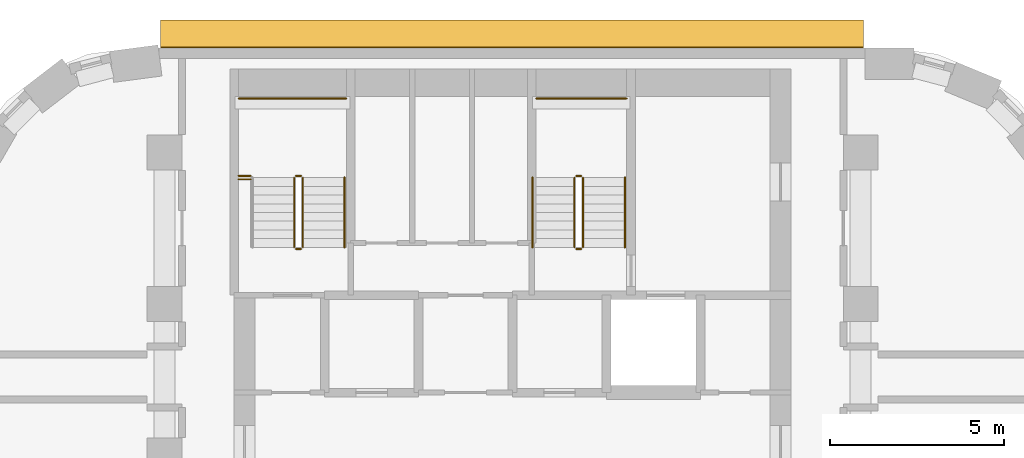
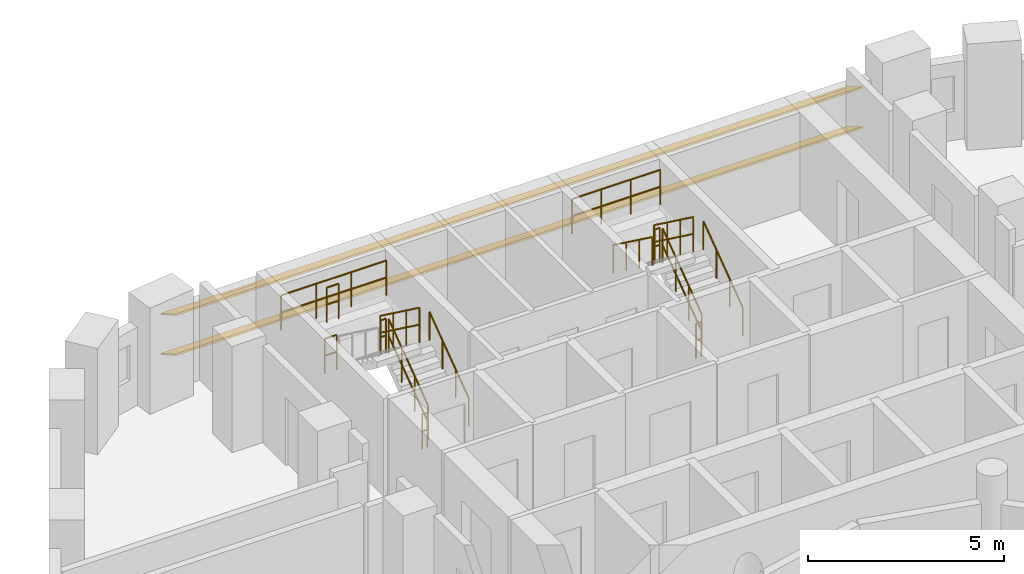
# One storey, part 12 of 12: 15 railings, 2 shading devices.
"""IFC4 building model written with IfcOpenShell, lengths in metres."""

import ifcopenshell
import ifcopenshell.guid

model = None  # the IFC model being written
_history = None  # IfcOwnerHistory: only IFC2X3 demands one
_inside = {}  # id of a spatial element -> (the spatial element, [elements in it])
_under = {}  # id of a project, library or spatial element -> (it, [spatial elements below it])
_declared = {}  # id of a project -> (the project, [libraries it declares])
_typed = {}  # id of a type object -> (the type object, [elements of that type])
_made_of = {}  # id of a material, layer set ... -> (it, [elements and type objects made of it])


def new_model(schema):
    """Start an empty IFC model of exactly this schema.

    Asked for "IFC4X3", IfcOpenShell would pick the latest addendum, in which some entities
    have other attributes; the version numbers below select the first issue.
    IFC2X3 requires an IfcOwnerHistory on every rooted entity: one is made here for all.
    """
    global model, _history
    if schema == "IFC4X3":
        model = ifcopenshell.file(schema_version=(4, 3, 0, 0))
    else:
        model = ifcopenshell.file(schema=schema)
    _inside.clear()
    _under.clear()
    _declared.clear()
    _typed.clear()
    _made_of.clear()
    _history = None
    if model.schema == "IFC2X3":
        org = make("IfcOrganization", Name="unknown")
        user = make(
            "IfcPersonAndOrganization",
            ThePerson=make("IfcPerson", FamilyName="unknown"),
            TheOrganization=org,
        )
        app = make(
            "IfcApplication",
            ApplicationDeveloper=org,
            Version="unknown",
            ApplicationFullName="unknown",
            ApplicationIdentifier="unknown",
        )
        _history = make(
            "IfcOwnerHistory",
            OwningUser=user,
            OwningApplication=app,
            ChangeAction="ADDED",
            CreationDate=0,
        )
    return model


def make(cls, **values):
    """One entity of the class cls with the attributes given. An attribute that is None is left unset."""
    return model.create_entity(
        cls, **{name: value for name, value in values.items() if value is not None}
    )


def rooted(cls, **values):
    """An entity with a GlobalId (a new one), such as an element, a storey or a relation."""
    return make(cls, GlobalId=ifcopenshell.guid.new(), OwnerHistory=_history, **values)


def si_unit(unit_type, name, prefix=None):
    """IfcSIUnit, for example si_unit("LENGTHUNIT", "METRE", prefix="MILLI")."""
    return make("IfcSIUnit", UnitType=unit_type, Prefix=prefix, Name=name)


def assignment(units):
    """IfcUnitAssignment: the units of a project."""
    return None if units is None else make("IfcUnitAssignment", Units=units)


def point(xyz):
    """IfcCartesianPoint."""
    return None if xyz is None else make("IfcCartesianPoint", Coordinates=xyz)


def direction(xyz):
    """IfcDirection."""
    return None if xyz is None else make("IfcDirection", DirectionRatios=xyz)


def frame(location, z_axis=None, x_axis=None):
    """IfcAxis2Placement3D, a coordinate frame: its origin and axes. An axis left out is left unset."""
    return make(
        "IfcAxis2Placement3D",
        Location=point(location),
        Axis=direction(z_axis),
        RefDirection=direction(x_axis),
    )


def frame_2d(location, x_axis=None):
    """IfcAxis2Placement2D, a coordinate frame in the plane: its origin and x axis."""
    return make(
        "IfcAxis2Placement2D", Location=point(location), RefDirection=direction(x_axis)
    )


def origin():
    """The frame at (0, 0, 0) with its axes left unset."""
    return frame((0.0, 0.0, 0.0))


def origin_2d():
    """The frame at (0, 0) in the plane with its x axis left unset."""
    return frame_2d((0.0, 0.0))


def place(relative_to, where):
    """IfcLocalPlacement: puts the frame where relative to a parent placement (None: the world)."""
    return make(
        "IfcLocalPlacement", PlacementRelTo=relative_to, RelativePlacement=where
    )


def context(
    kind, dimensions, precision=None, world=None, true_north=None, identifier=None
):
    """IfcGeometricRepresentationContext, for example the 3D "Model" context."""
    return make(
        "IfcGeometricRepresentationContext",
        ContextIdentifier=identifier,
        ContextType=kind,
        CoordinateSpaceDimension=dimensions,
        Precision=precision,
        WorldCoordinateSystem=world,
        TrueNorth=true_north,
    )


def subcontext(parent, identifier, kind, view, scale=None):
    """IfcGeometricRepresentationSubContext, for example "Body" below "Model"."""
    return make(
        "IfcGeometricRepresentationSubContext",
        ContextIdentifier=identifier,
        ContextType=kind,
        ParentContext=parent,
        TargetScale=scale,
        TargetView=view,
    )


def project(units=None, contexts=None):
    """IfcProject with its units and contexts."""
    return rooted(
        "IfcProject",
        Name="project",
        RepresentationContexts=contexts,
        UnitsInContext=assignment(units),
    )


def spatial(cls, under=None, at=None, **own):
    """A site, building, storey or space (cls), placed at a placement, below another one or the project."""
    s = rooted(cls, ObjectPlacement=at, **own)
    if under is not None:
        _under.setdefault(under.id(), (under, []))[1].append(s)
    return s


def profile(cls, at=None, kind="AREA", **sizes):
    """A parametric profile (cls). Its sizes go by their IFC names, for example OverallWidth=200.0."""
    return make(cls, ProfileType=kind, Position=at, **sizes)


def rectangle(**sizes):
    """IfcRectangleProfileDef."""
    return profile("IfcRectangleProfileDef", **sizes)


def circle(**sizes):
    """IfcCircleProfileDef."""
    return profile("IfcCircleProfileDef", **sizes)


def extrude(swept, where, along, depth):
    """IfcExtrudedAreaSolid: the profile swept, set in the frame where, extruded along a direction by depth."""
    return make(
        "IfcExtrudedAreaSolid",
        SweptArea=swept,
        Position=where,
        ExtrudedDirection=direction(along),
        Depth=depth,
    )


def shape(context_of_items, identifier, shape_type, items):
    """IfcShapeRepresentation: the items that make up one representation, for example the "Body"."""
    return make(
        "IfcShapeRepresentation",
        ContextOfItems=context_of_items,
        RepresentationIdentifier=identifier,
        RepresentationType=shape_type,
        Items=items,
    )


def material(Name=None, Category=None):
    """IfcMaterial."""
    return make("IfcMaterial", Name=Name, Category=Category)


def material_profile(
    of_material, cross_section, Name=None, Category=None, Priority=None
):
    """IfcMaterialProfile: a cross section and its material."""
    return make(
        "IfcMaterialProfile",
        Name=Name,
        Material=of_material,
        Profile=cross_section,
        Priority=Priority,
        Category=Category,
    )


def profile_set(profiles, Name=None, composite=None):
    """IfcMaterialProfileSet."""
    return make(
        "IfcMaterialProfileSet",
        Name=Name,
        MaterialProfiles=profiles,
        CompositeProfile=composite,
    )


def made_of(thing, what):
    """Note that an element or type object is made of a material, layer set ...; save() writes the relation."""
    if what is not None:
        _made_of.setdefault(what.id(), (what, []))[1].append(thing)
    return thing


def type_object(cls, material=None, **own):
    """A type object (cls), such as IfcWallType, which elements share."""
    return made_of(rooted(cls, **own), material)


def element(
    cls,
    number,
    at=None,
    inside=None,
    cuts=None,
    type_object=None,
    material=None,
    context=None,
    identifier="Body",
    shape_type=None,
    held_by="IfcProductDefinitionShape",
    body=None,
    shapes=None,
    **own,
):
    """One element of the class cls, such as IfcWall. Its Tag is "e" and its number.

    at: its placement. inside: the storey or other place that contains it. cuts: it is an
    opening in that element (IfcRelVoidsElement). A single representation is given by context,
    identifier, shape_type and body (its items); several are given by shapes. held_by: the class
    of the entity that holds the representations. save() writes the other relations.
    """
    e = rooted(cls, Tag="e%d" % number, ObjectPlacement=at, **own)
    if body is not None:
        shapes = [shape(context, identifier, shape_type, body)]
    if shapes is not None:
        e.Representation = make(held_by, Representations=shapes)
    if inside is not None:
        _inside.setdefault(inside.id(), (inside, []))[1].append(e)
    if cuts is not None:
        rooted(
            "IfcRelVoidsElement", RelatingBuildingElement=cuts, RelatedOpeningElement=e
        )
    if type_object is not None:
        _typed.setdefault(type_object.id(), (type_object, []))[1].append(e)
    return made_of(e, material)


def aggregate(whole, parts):
    """IfcRelAggregates: a whole, such as a stair, and the parts it consists of."""
    return rooted("IfcRelAggregates", RelatingObject=whole, RelatedObjects=parts)


def save(model, path):
    """Write the relations noted so far, then the file.

    IfcRelAggregates (storeys below a building ...), IfcRelContainedInSpatialStructure (elements
    in a storey), IfcRelDefinesByType, IfcRelAssociatesMaterial and IfcRelDeclares: one each for
    every whole, place, type object, material and project.
    """
    for whole, parts in _under.values():
        aggregate(whole, parts)
    for where, things in _inside.values():
        rooted(
            "IfcRelContainedInSpatialStructure",
            RelatedElements=things,
            RelatingStructure=where,
        )
    for kind, things in _typed.values():
        rooted("IfcRelDefinesByType", RelatedObjects=things, RelatingType=kind)
    for what, things in _made_of.values():
        rooted("IfcRelAssociatesMaterial", RelatedObjects=things, RelatingMaterial=what)
    for by, libraries in _declared.values():
        rooted("IfcRelDeclares", RelatingContext=by, RelatedDefinitions=libraries)
    model.write(path)


model = new_model("IFC4")

# Units and contexts
model_context = context("Model", 3, precision=1e-05, world=origin(), true_north=direction((0.0, 1.0)))
body_context = subcontext(model_context, "Body", "Model", "MODEL_VIEW")
ifc_project = project(units=[si_unit("LENGTHUNIT", "METRE"), si_unit("AREAUNIT", "SQUARE_METRE"), si_unit("VOLUMEUNIT", "CUBIC_METRE"), si_unit("PLANEANGLEUNIT", "RADIAN"), si_unit("MASSUNIT", "GRAM", prefix="KILO")], contexts=[model_context])

# Site, building, storey
site_placement = place(None, origin())
site = spatial("IfcSite", under=ifc_project, at=site_placement, CompositionType="ELEMENT")
building_placement = place(site_placement, origin())
building = spatial("IfcBuilding", under=site, at=building_placement, Name="Nakaniwa Court", CompositionType="ELEMENT")
storey_placement = place(building_placement, frame((0.0, 0.0, 104.10009765625)))
storey = spatial("IfcBuildingStorey", under=building, at=storey_placement, Name="L27", CompositionType="ELEMENT", Elevation=104.10009765625)

# Shading devices
ifc_material_1 = material(Name="Perforated charcoal ceramic louvre blade")
ifc_material_profile = material_profile(ifc_material_1, rectangle(XDim=0.89990234375, YDim=0.050048828125, at=origin_2d()), Name="Perforated ceramic louvre blade")
ifc_profile_set = profile_set([ifc_material_profile], Name="Perforated charcoal ceramic louvre blade")
shading_device_type = type_object("IfcShadingDeviceType", Name="Perforated ceramic louvre blade", PredefinedType="JALOUSIE", material=ifc_profile_set)
for number, where, z_axis, x_axis, name in (
    (1, (90.07861328125, 104.402099609375, 0.5498046875), (-1.0, 0.0, 0.0), (0.0, -0.866025403784, 0.5), "L27 perforated ceramic louvre blade w08 1"),
    (2, (90.07861328125, 104.402099609375, 1.793212890625), (-1.0, 0.0, 0.0), (0.0, -0.866025403784, 0.5), "L27 perforated ceramic louvre blade w08 2"),
):
    element("IfcShadingDevice", number, at=place(storey_placement, frame(where, z_axis=z_axis, x_axis=x_axis)), inside=storey, type_object=shading_device_type, Name=name, PredefinedType="JALOUSIE", context=body_context, shape_type="SweptSolid", body=[
        extrude(rectangle(XDim=0.89990234375, YDim=0.050048828125, at=origin_2d()), origin(), (0.0, 0.0, 1.0), 20.19091796875),
    ])

# Railings
ifc_material_2 = material(Name="Black powder coated steel guard", Category="steel")
railing_type_1 = type_object("IfcRailingType", Name="Stair guard 1100", PredefinedType="GUARDRAIL", material=ifc_material_2)
railing_1_placement = place(storey_placement, frame((73.97509765625, 98.27490234375, 0.183349609375)))
element("IfcRailing", 3, at=railing_1_placement, inside=storey, type_object=railing_type_1, Name="L27 ST1 stair guard 1", PredefinedType="GUARDRAIL", context=body_context, shape_type="SweptSolid", body=[
    extrude(circle(Radius=0.02392578125, at=origin_2d()), frame((0.0, 0.0, 1.076171875), z_axis=(0.0, 0.806426902644, 0.591333789573), x_axis=(-1.0, 0.0, 0.0)), (0.0, 0.0, 1.0), 2.47998046875),
    extrude(circle(Radius=0.02392578125, at=origin_2d()), frame((0.0, 0.0, 0.550048828125), z_axis=(0.0, 0.806426902644, 0.591333789573), x_axis=(-1.0, 0.0, 0.0)), (0.0, 0.0, 1.0), 2.47998046875),
    extrude(circle(Radius=0.02099609375, at=origin_2d()), origin(), (0.0, 0.0, 1.0), 1.052001953125),
    extrude(circle(Radius=0.02099609375, at=origin_2d()), frame((0.0, 0.666748046875, 0.48876953125)), (0.0, 0.0, 1.0), 1.052001953125),
    extrude(circle(Radius=0.02099609375, at=origin_2d()), frame((0.0, 1.333251953125, 0.977783203125)), (0.0, 0.0, 1.0), 1.052001953125),
    extrude(circle(Radius=0.02099609375, at=origin_2d()), frame((0.0, 2.0, 1.466552734375)), (0.0, 0.0, 1.0), 1.052001953125),
])
railing_2_placement = place(storey_placement, frame((73.925048828125, 100.324951171875, 1.64990234375)))
element("IfcRailing", 4, at=railing_2_placement, inside=storey, type_object=railing_type_1, Name="L27 ST1 stair guard 2", PredefinedType="GUARDRAIL", context=body_context, shape_type="SweptSolid", body=[
    extrude(circle(Radius=0.02392578125, at=origin_2d()), frame((0.0, 0.0, 1.076171875), z_axis=(-1.0, 0.0, 0.0), x_axis=(0.0, -1.0, 0.0)), (0.0, 0.0, 1.0), 0.150146484375),
    extrude(circle(Radius=0.02392578125, at=origin_2d()), frame((0.0, 0.0, 0.550048828125), z_axis=(-1.0, 0.0, 0.0), x_axis=(0.0, -1.0, 0.0)), (0.0, 0.0, 1.0), 0.150146484375),
    extrude(circle(Radius=0.02099609375, at=origin_2d()), origin(), (0.0, 0.0, 1.0), 1.052001953125),
    extrude(circle(Radius=0.02099609375, at=origin_2d()), frame((-0.150146484375, 0.0, 0.0)), (0.0, 0.0, 1.0), 1.052001953125),
])
railing_3_placement = place(storey_placement, frame((73.72509765625, 100.27490234375, 1.833251953125)))
element("IfcRailing", 5, at=railing_3_placement, inside=storey, type_object=railing_type_1, Name="L27 ST1 stair guard 3", PredefinedType="GUARDRAIL", context=body_context, shape_type="SweptSolid", body=[
    extrude(circle(Radius=0.02392578125, at=origin_2d()), frame((0.0, 0.0, 1.076171875), z_axis=(0.0, -0.806426902644, 0.591333789573), x_axis=(1.0, 0.0, 0.0)), (0.0, 0.0, 1.0), 2.47998046875),
    extrude(circle(Radius=0.02392578125, at=origin_2d()), frame((0.0, 0.0, 0.550048828125), z_axis=(0.0, -0.806426902644, 0.591333789573), x_axis=(1.0, 0.0, 0.0)), (0.0, 0.0, 1.0), 2.47998046875),
    extrude(circle(Radius=0.02099609375, at=origin_2d()), origin(), (0.0, 0.0, 1.0), 1.052001953125),
    extrude(circle(Radius=0.02099609375, at=origin_2d()), frame((0.0, -0.666748046875, 0.48876953125)), (0.0, 0.0, 1.0), 1.052001953125),
    extrude(circle(Radius=0.02099609375, at=origin_2d()), frame((0.0, -1.333251953125, 0.977783203125)), (0.0, 0.0, 1.0), 1.052001953125),
    extrude(circle(Radius=0.02099609375, at=origin_2d()), frame((0.0, -2.0, 1.466552734375)), (0.0, 0.0, 1.0), 1.052001953125),
])
railing_4_placement = place(storey_placement, frame((73.925048828125, 98.22509765625, 0.0)))
element("IfcRailing", 6, at=railing_4_placement, inside=storey, type_object=railing_type_1, Name="L27 ST1 stair guard 4", PredefinedType="GUARDRAIL", context=body_context, shape_type="SweptSolid", body=[
    extrude(circle(Radius=0.02392578125, at=origin_2d()), frame((0.0, 0.0, 1.076171875), z_axis=(-1.0, 0.0, 0.0), x_axis=(0.0, -1.0, 0.0)), (0.0, 0.0, 1.0), 0.150146484375),
    extrude(circle(Radius=0.02392578125, at=origin_2d()), frame((0.0, 0.0, 0.550048828125), z_axis=(-1.0, 0.0, 0.0), x_axis=(0.0, -1.0, 0.0)), (0.0, 0.0, 1.0), 0.150146484375),
    extrude(circle(Radius=0.02099609375, at=origin_2d()), origin(), (0.0, 0.0, 1.0), 1.052001953125),
    extrude(circle(Radius=0.02099609375, at=origin_2d()), frame((-0.150146484375, 0.0, 0.0)), (0.0, 0.0, 1.0), 1.052001953125),
])
railing_5_placement = place(storey_placement, frame((72.125, 102.550048828125, 1.64990234375)))
element("IfcRailing", 7, at=railing_5_placement, inside=storey, type_object=railing_type_1, Name="L27 ST1 landing end guard 1", PredefinedType="GUARDRAIL", context=body_context, shape_type="SweptSolid", body=[
    extrude(circle(Radius=0.02392578125, at=origin_2d()), frame((0.0, 0.0, 1.076171875), z_axis=(1.0, 0.0, 0.0), x_axis=(0.0, 1.0, 0.0)), (0.0, 0.0, 1.0), 3.10009765625),
    extrude(circle(Radius=0.02392578125, at=origin_2d()), frame((0.0, 0.0, 0.550048828125), z_axis=(1.0, 0.0, 0.0), x_axis=(0.0, 1.0, 0.0)), (0.0, 0.0, 1.0), 3.10009765625),
    extrude(circle(Radius=0.02099609375, at=origin_2d()), origin(), (0.0, 0.0, 1.0), 1.052001953125),
    extrude(circle(Radius=0.02099609375, at=origin_2d()), frame((1.033447265625, 0.0, 0.0)), (0.0, 0.0, 1.0), 1.052001953125),
    extrude(circle(Radius=0.02099609375, at=origin_2d()), frame((2.066650390625, 0.0, 0.0)), (0.0, 0.0, 1.0), 1.052001953125),
    extrude(circle(Radius=0.02099609375, at=origin_2d()), frame((3.10009765625, 0.0, 0.0)), (0.0, 0.0, 1.0), 1.052001953125),
])
for number, where, name in (
    (8, (72.125, 100.324951171875, 1.64990234375), "L27 ST1 landing side guard 1W"),
    (9, (72.125, 100.22509765625, 3.2998046875), "L27 ST1 floor edge guard 1W"),
):
    element("IfcRailing", number, at=place(storey_placement, frame(where)), inside=storey, type_object=railing_type_1, Name=name, PredefinedType="GUARDRAIL", context=body_context, shape_type="SweptSolid", body=[
        extrude(circle(Radius=0.02392578125, at=origin_2d()), frame((0.0, 0.0, 1.076171875), z_axis=(1.0, 0.0, 0.0), x_axis=(0.0, 1.0, 0.0)), (0.0, 0.0, 1.0), 0.35009765625),
        extrude(circle(Radius=0.02392578125, at=origin_2d()), frame((0.0, 0.0, 0.550048828125), z_axis=(1.0, 0.0, 0.0), x_axis=(0.0, 1.0, 0.0)), (0.0, 0.0, 1.0), 0.35009765625),
        extrude(circle(Radius=0.02099609375, at=origin_2d()), origin(), (0.0, 0.0, 1.0), 1.052001953125),
        extrude(circle(Radius=0.02099609375, at=origin_2d()), frame((0.35009765625, 0.0, 0.0)), (0.0, 0.0, 1.0), 1.052001953125),
    ])
railing_6_placement = place(storey_placement, frame((82.02490234375, 98.27490234375, 0.183349609375)))
element("IfcRailing", 10, at=railing_6_placement, inside=storey, type_object=railing_type_1, Name="L27 ST2 stair guard 1", PredefinedType="GUARDRAIL", context=body_context, shape_type="SweptSolid", body=[
    extrude(circle(Radius=0.02392578125, at=origin_2d()), frame((0.0, 0.0, 1.076171875), z_axis=(0.0, 0.806426902644, 0.591333789573), x_axis=(-1.0, 0.0, 0.0)), (0.0, 0.0, 1.0), 2.47998046875),
    extrude(circle(Radius=0.02392578125, at=origin_2d()), frame((0.0, 0.0, 0.550048828125), z_axis=(0.0, 0.806426902644, 0.591333789573), x_axis=(-1.0, 0.0, 0.0)), (0.0, 0.0, 1.0), 2.47998046875),
    extrude(circle(Radius=0.02099609375, at=origin_2d()), origin(), (0.0, 0.0, 1.0), 1.052001953125),
    extrude(circle(Radius=0.02099609375, at=origin_2d()), frame((0.0, 0.666748046875, 0.48876953125)), (0.0, 0.0, 1.0), 1.052001953125),
    extrude(circle(Radius=0.02099609375, at=origin_2d()), frame((0.0, 1.333251953125, 0.977783203125)), (0.0, 0.0, 1.0), 1.052001953125),
    extrude(circle(Radius=0.02099609375, at=origin_2d()), frame((0.0, 2.0, 1.466552734375)), (0.0, 0.0, 1.0), 1.052001953125),
])
railing_7_placement = place(storey_placement, frame((81.97509765625, 100.324951171875, 1.64990234375)))
element("IfcRailing", 11, at=railing_7_placement, inside=storey, type_object=railing_type_1, Name="L27 ST2 stair guard 2", PredefinedType="GUARDRAIL", context=body_context, shape_type="SweptSolid", body=[
    extrude(circle(Radius=0.02392578125, at=origin_2d()), frame((0.0, 0.0, 1.076171875), z_axis=(-1.0, 0.0, 0.0), x_axis=(0.0, -1.0, 0.0)), (0.0, 0.0, 1.0), 0.150146484375),
    extrude(circle(Radius=0.02392578125, at=origin_2d()), frame((0.0, 0.0, 0.550048828125), z_axis=(-1.0, 0.0, 0.0), x_axis=(0.0, -1.0, 0.0)), (0.0, 0.0, 1.0), 0.150146484375),
    extrude(circle(Radius=0.02099609375, at=origin_2d()), origin(), (0.0, 0.0, 1.0), 1.052001953125),
    extrude(circle(Radius=0.02099609375, at=origin_2d()), frame((-0.150146484375, 0.0, 0.0)), (0.0, 0.0, 1.0), 1.052001953125),
])
railing_8_placement = place(storey_placement, frame((81.77490234375, 100.27490234375, 1.833251953125)))
element("IfcRailing", 12, at=railing_8_placement, inside=storey, type_object=railing_type_1, Name="L27 ST2 stair guard 3", PredefinedType="GUARDRAIL", context=body_context, shape_type="SweptSolid", body=[
    extrude(circle(Radius=0.02392578125, at=origin_2d()), frame((0.0, 0.0, 1.076171875), z_axis=(0.0, -0.806426902644, 0.591333789573), x_axis=(1.0, 0.0, 0.0)), (0.0, 0.0, 1.0), 2.47998046875),
    extrude(circle(Radius=0.02392578125, at=origin_2d()), frame((0.0, 0.0, 0.550048828125), z_axis=(0.0, -0.806426902644, 0.591333789573), x_axis=(1.0, 0.0, 0.0)), (0.0, 0.0, 1.0), 2.47998046875),
    extrude(circle(Radius=0.02099609375, at=origin_2d()), origin(), (0.0, 0.0, 1.0), 1.052001953125),
    extrude(circle(Radius=0.02099609375, at=origin_2d()), frame((0.0, -0.666748046875, 0.48876953125)), (0.0, 0.0, 1.0), 1.052001953125),
    extrude(circle(Radius=0.02099609375, at=origin_2d()), frame((0.0, -1.333251953125, 0.977783203125)), (0.0, 0.0, 1.0), 1.052001953125),
    extrude(circle(Radius=0.02099609375, at=origin_2d()), frame((0.0, -2.0, 1.466552734375)), (0.0, 0.0, 1.0), 1.052001953125),
])
railing_9_placement = place(storey_placement, frame((81.97509765625, 98.22509765625, 0.0)))
element("IfcRailing", 13, at=railing_9_placement, inside=storey, type_object=railing_type_1, Name="L27 ST2 stair guard 4", PredefinedType="GUARDRAIL", context=body_context, shape_type="SweptSolid", body=[
    extrude(circle(Radius=0.02392578125, at=origin_2d()), frame((0.0, 0.0, 1.076171875), z_axis=(-1.0, 0.0, 0.0), x_axis=(0.0, -1.0, 0.0)), (0.0, 0.0, 1.0), 0.150146484375),
    extrude(circle(Radius=0.02392578125, at=origin_2d()), frame((0.0, 0.0, 0.550048828125), z_axis=(-1.0, 0.0, 0.0), x_axis=(0.0, -1.0, 0.0)), (0.0, 0.0, 1.0), 0.150146484375),
    extrude(circle(Radius=0.02099609375, at=origin_2d()), origin(), (0.0, 0.0, 1.0), 1.052001953125),
    extrude(circle(Radius=0.02099609375, at=origin_2d()), frame((-0.150146484375, 0.0, 0.0)), (0.0, 0.0, 1.0), 1.052001953125),
])
railing_10_placement = place(storey_placement, frame((80.675048828125, 102.550048828125, 1.64990234375)))
element("IfcRailing", 14, at=railing_10_placement, inside=storey, type_object=railing_type_1, Name="L27 ST2 landing end guard 1", PredefinedType="GUARDRAIL", context=body_context, shape_type="SweptSolid", body=[
    extrude(circle(Radius=0.02392578125, at=origin_2d()), frame((0.0, 0.0, 1.076171875), z_axis=(1.0, 0.0, 0.0), x_axis=(0.0, 1.0, 0.0)), (0.0, 0.0, 1.0), 2.599853515625),
    extrude(circle(Radius=0.02392578125, at=origin_2d()), frame((0.0, 0.0, 0.550048828125), z_axis=(1.0, 0.0, 0.0), x_axis=(0.0, 1.0, 0.0)), (0.0, 0.0, 1.0), 2.599853515625),
    extrude(circle(Radius=0.02099609375, at=origin_2d()), origin(), (0.0, 0.0, 1.0), 1.052001953125),
    extrude(circle(Radius=0.02099609375, at=origin_2d()), frame((0.86669921875, 0.0, 0.0)), (0.0, 0.0, 1.0), 1.052001953125),
    extrude(circle(Radius=0.02099609375, at=origin_2d()), frame((1.733154296875, 0.0, 0.0)), (0.0, 0.0, 1.0), 1.052001953125),
    extrude(circle(Radius=0.02099609375, at=origin_2d()), frame((2.599853515625, 0.0, 0.0)), (0.0, 0.0, 1.0), 1.052001953125),
])
ifc_material_3 = material(Name="Black powder coated steel handrail", Category="steel")
railing_type_2 = type_object("IfcRailingType", Name="Stair handrail 900", PredefinedType="HANDRAIL", material=ifc_material_3)
for number, where, name in (
    (15, (75.175048828125, 98.27490234375, 0.183349609375), "L27 ST1 stair handrail 1"),
    (16, (83.22509765625, 98.27490234375, 0.183349609375), "L27 ST2 stair handrail 1"),
):
    element("IfcRailing", number, at=place(storey_placement, frame(where)), inside=storey, type_object=railing_type_2, Name=name, PredefinedType="HANDRAIL", context=body_context, shape_type="SweptSolid", body=[
        extrude(circle(Radius=0.02392578125, at=origin_2d()), frame((0.0, 0.0, 0.8759765625), z_axis=(0.0, 0.806426902644, 0.591333789573), x_axis=(-1.0, 0.0, 0.0)), (0.0, 0.0, 1.0), 2.47998046875),
        extrude(circle(Radius=0.02099609375, at=origin_2d()), origin(), (0.0, 0.0, 1.0), 0.851806640625),
        extrude(circle(Radius=0.02099609375, at=origin_2d()), frame((0.0, 0.666748046875, 0.48876953125)), (0.0, 0.0, 1.0), 0.851806640625),
        extrude(circle(Radius=0.02099609375, at=origin_2d()), frame((0.0, 1.333251953125, 0.977783203125)), (0.0, 0.0, 1.0), 0.851806640625),
        extrude(circle(Radius=0.02099609375, at=origin_2d()), frame((0.0, 2.0, 1.466552734375)), (0.0, 0.0, 1.0), 0.851806640625),
    ])
railing_11_placement = place(storey_placement, frame((80.574951171875, 100.27490234375, 1.833251953125)))
element("IfcRailing", 17, at=railing_11_placement, inside=storey, type_object=railing_type_2, Name="L27 ST2 stair handrail 2", PredefinedType="HANDRAIL", context=body_context, shape_type="SweptSolid", body=[
    extrude(circle(Radius=0.02392578125, at=origin_2d()), frame((0.0, 0.0, 0.8759765625), z_axis=(0.0, -0.806426902644, 0.591333789573), x_axis=(1.0, 0.0, 0.0)), (0.0, 0.0, 1.0), 2.47998046875),
    extrude(circle(Radius=0.02099609375, at=origin_2d()), origin(), (0.0, 0.0, 1.0), 0.851806640625),
    extrude(circle(Radius=0.02099609375, at=origin_2d()), frame((0.0, -0.666748046875, 0.48876953125)), (0.0, 0.0, 1.0), 0.851806640625),
    extrude(circle(Radius=0.02099609375, at=origin_2d()), frame((0.0, -1.333251953125, 0.977783203125)), (0.0, 0.0, 1.0), 0.851806640625),
    extrude(circle(Radius=0.02099609375, at=origin_2d()), frame((0.0, -2.0, 1.466552734375)), (0.0, 0.0, 1.0), 0.851806640625),
])

save(model, "model.ifc")
